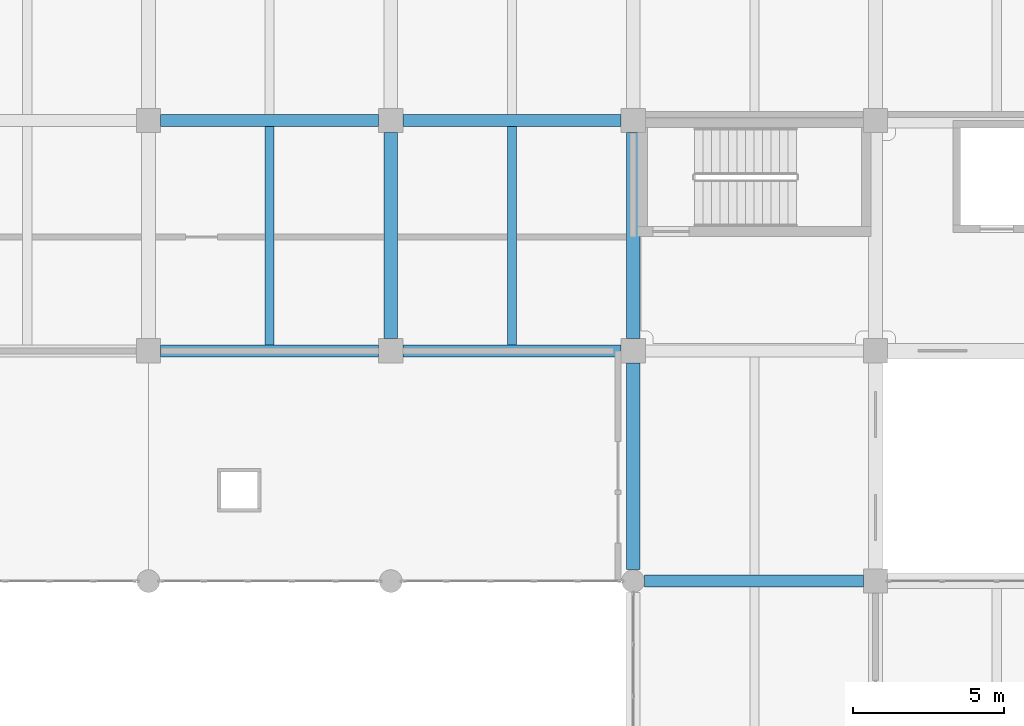
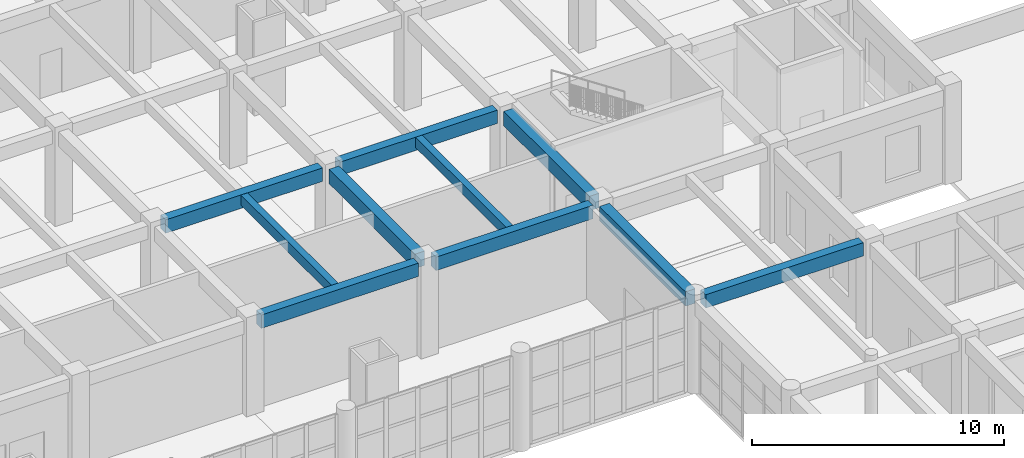
# One storey, part 37 of 101: 10 beams.
"""IFC4 building model written with IfcOpenShell, lengths in metres."""

from ifc_helpers import new_model, si_unit, direction, frame, origin, origin_2d, place, context, subcontext, project, spatial, rectangle, extrude, material, material_profile, profile_set, type_object, element, save


model = new_model("IFC4")

# Units and contexts
model_context = context("Model", 3, precision=1e-05, world=origin(), true_north=direction((0.0, 1.0)))
body_context = subcontext(model_context, "Body", "Model", "MODEL_VIEW")
ifc_project = project(units=[si_unit("LENGTHUNIT", "METRE"), si_unit("AREAUNIT", "SQUARE_METRE"), si_unit("VOLUMEUNIT", "CUBIC_METRE"), si_unit("PLANEANGLEUNIT", "RADIAN"), si_unit("MASSUNIT", "GRAM", prefix="KILO")], contexts=[model_context])

# Site, building, storey
site_placement = place(None, origin())
site = spatial("IfcSite", under=ifc_project, at=site_placement, CompositionType="ELEMENT")
building_placement = place(site_placement, origin())
building = spatial("IfcBuilding", under=site, at=building_placement, Name="Zantavel Square City Hall", CompositionType="ELEMENT")
storey_placement = place(building_placement, frame((0.0, 0.0, 5.39990234375)))
storey = spatial("IfcBuildingStorey", under=building, at=storey_placement, Name="L02", CompositionType="ELEMENT", Elevation=5.39990234375)

# Beams
ifc_material = material(Name="Concrete C35/45", Category="concrete")
ifc_material_profile_1 = material_profile(ifc_material, rectangle(XDim=0.300048828125, YDim=0.5, at=origin_2d()), Name="RC 300x500")
ifc_profile_set_1 = profile_set([ifc_material_profile_1], Name="Concrete C35/45")
beam_type_1 = type_object("IfcBeamType", Name="Floor Joist RC 300x500 C35/45", PredefinedType="JOIST", material=ifc_profile_set_1)
for number, where, z_axis, x_axis, name in (
    (1, (36.0, 76.199951171875, 4.2900390625), (0.0, 1.0, 0.0), (-1.0, 0.0, 0.0), "L02 Floor Joist JST-L02-0360-0760"),
    (2, (44.0, 76.199951171875, 4.2900390625), (0.0, 1.0, 0.0), (-1.0, 0.0, 0.0), "L02 Floor Joist JST-L02-0440-0760"),
):
    element("IfcBeam", number, at=place(storey_placement, frame(where, z_axis=z_axis, x_axis=x_axis)), inside=storey, type_object=beam_type_1, Name=name, PredefinedType="JOIST", context=body_context, shape_type="SweptSolid", body=[
        extrude(rectangle(XDim=0.300048828125, YDim=0.5, at=origin_2d()), origin(), (0.0, 0.0, 1.0), 7.199951171875),
    ])
ifc_material_profile_2 = material_profile(ifc_material, rectangle(XDim=0.39990234375, YDim=0.64990234375, at=origin_2d()), Name="RC 400x650")
ifc_profile_set_2 = profile_set([ifc_material_profile_2], Name="Concrete C35/45")
beam_type_2 = type_object("IfcBeamType", Name="Frame Beam RC 400x650 C35/45", PredefinedType="BEAM", material=ifc_profile_set_2)
for number, where, z_axis, x_axis, name in (
    (3, (32.39990234375, 76.0, 4.215087890625), (1.0, 0.0, 0.0), (0.0, 1.0, 0.0), "L02 Girder BMX-L02-0320-0760"),
    (4, (32.39990234375, 83.60009765625, 4.215087890625), (1.0, 0.0, 0.0), (0.0, 1.0, 0.0), "L02 Girder BMX-L02-0320-0836"),
    (5, (40.39990234375, 76.0, 4.215087890625), (1.0, 0.0, 0.0), (0.0, 1.0, 0.0), "L02 Girder BMX-L02-0400-0760"),
    (6, (40.39990234375, 83.60009765625, 4.215087890625), (1.0, 0.0, 0.0), (0.0, 1.0, 0.0), "L02 Girder BMX-L02-0400-0836"),
):
    element("IfcBeam", number, at=place(storey_placement, frame(where, z_axis=z_axis, x_axis=x_axis)), inside=storey, type_object=beam_type_2, Name=name, PredefinedType="BEAM", context=body_context, shape_type="SweptSolid", body=[
        extrude(rectangle(XDim=0.39990234375, YDim=0.64990234375, at=origin_2d()), origin(), (0.0, 0.0, 1.0), 7.2001953125),
    ])
beam_1_placement = place(storey_placement, frame((48.375, 68.39990234375, 4.215087890625), z_axis=(1.0, 0.0, 0.0), x_axis=(0.0, 1.0, 0.0)))
element("IfcBeam", 7, at=beam_1_placement, inside=storey, type_object=beam_type_2, Name="L02 Girder BMX-L02-0480-0684", PredefinedType="BEAM", context=body_context, shape_type="SweptSolid", body=[
    extrude(rectangle(XDim=0.39990234375, YDim=0.64990234375, at=origin_2d()), origin(), (0.0, 0.0, 1.0), 7.22509765625),
])
ifc_material_profile_3 = material_profile(ifc_material, rectangle(XDim=0.449951171875, YDim=0.699951171875, at=origin_2d()), Name="RC 450x700")
ifc_profile_set_3 = profile_set([ifc_material_profile_3], Name="Concrete C35/45")
beam_type_3 = type_object("IfcBeamType", Name="Primary Girder RC 450x700 C35/45", PredefinedType="BEAM", material=ifc_profile_set_3)
beam_2_placement = place(storey_placement, frame((40.0, 76.39990234375, 4.190185546875), z_axis=(0.0, 1.0, 0.0), x_axis=(-1.0, 0.0, 0.0)))
element("IfcBeam", 8, at=beam_2_placement, inside=storey, type_object=beam_type_3, Name="L02 Beam BMY-L02-0400-0760", PredefinedType="BEAM", context=body_context, shape_type="SweptSolid", body=[
    extrude(rectangle(XDim=0.449951171875, YDim=0.699951171875, at=origin_2d()), origin(), (0.0, 0.0, 1.0), 6.800048828125),
])
beam_3_placement = place(storey_placement, frame((48.0, 68.77490234375, 4.190185546875), z_axis=(0.0, 1.0, 0.0), x_axis=(-1.0, 0.0, 0.0)))
element("IfcBeam", 9, at=beam_3_placement, inside=storey, type_object=beam_type_3, Name="L02 Beam BMY-L02-0480-0684", PredefinedType="BEAM", context=body_context, shape_type="SweptSolid", body=[
    extrude(rectangle(XDim=0.449951171875, YDim=0.699951171875, at=origin_2d()), origin(), (0.0, 0.0, 1.0), 6.8251953125),
])
beam_4_placement = place(storey_placement, frame((48.0, 76.39990234375, 4.190185546875), z_axis=(0.0, 1.0, 0.0), x_axis=(-1.0, 0.0, 0.0)))
element("IfcBeam", 10, at=beam_4_placement, inside=storey, type_object=beam_type_3, Name="L02 Beam BMY-L02-0480-0760", PredefinedType="BEAM", context=body_context, shape_type="SweptSolid", body=[
    extrude(rectangle(XDim=0.449951171875, YDim=0.699951171875, at=origin_2d()), origin(), (0.0, 0.0, 1.0), 6.800048828125),
])

save(model, "model.ifc")
